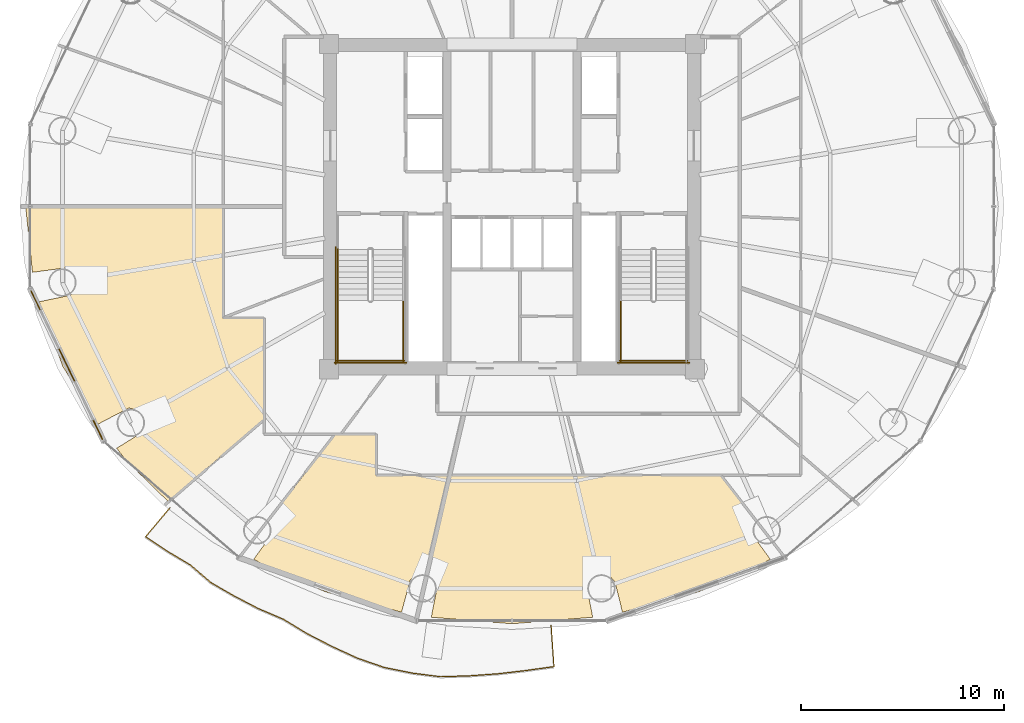
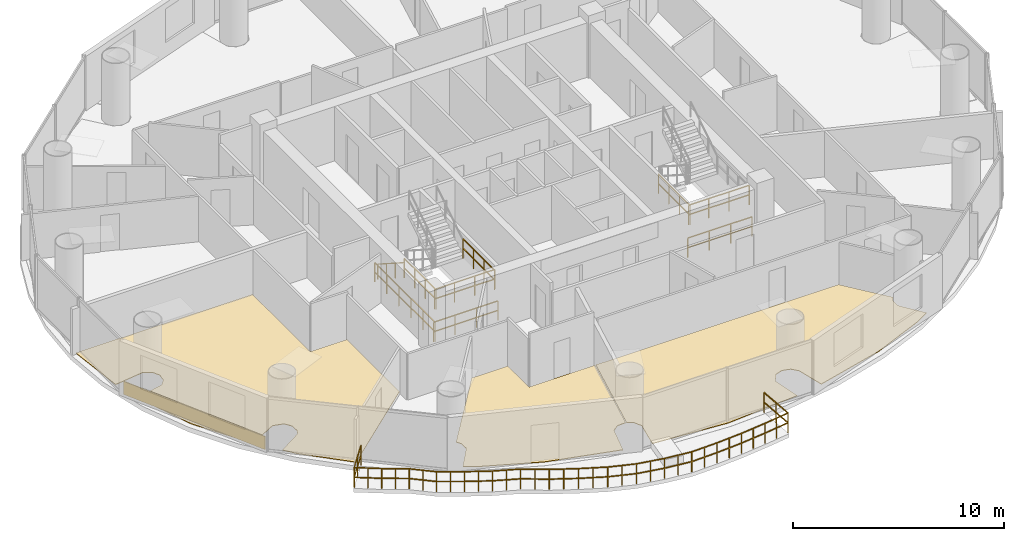
# One storey, part 24 of 26: 10 railings, 4 coverings.
"""IFC4 building model written with IfcOpenShell, lengths in metres."""

from ifc_helpers import new_model, si_unit, direction, frame, origin, origin_2d, place, context, subcontext, project, spatial, polyline, rectangle, outline, extrude, source, transform, mapped, material, layer, layer_set, type_object, element, save


model = new_model("IFC4")

# Units and contexts
model_context = context("Model", 3, precision=1e-05, world=origin(), true_north=direction((-0.2419218956, 0.970295726276)))
body_context = subcontext(model_context, "Body", "Model", "MODEL_VIEW")
ifc_project = project(units=[si_unit("LENGTHUNIT", "METRE"), si_unit("AREAUNIT", "SQUARE_METRE"), si_unit("VOLUMEUNIT", "CUBIC_METRE"), si_unit("PLANEANGLEUNIT", "RADIAN"), si_unit("MASSUNIT", "GRAM", prefix="KILO")], contexts=[model_context])

# Site, building, storey
site_placement = place(None, origin())
site = spatial("IfcSite", under=ifc_project, at=site_placement, CompositionType="ELEMENT")
building_placement = place(site_placement, origin())
building = spatial("IfcBuilding", under=site, at=building_placement, Name="Cobrevalo Terracotta Tower", CompositionType="ELEMENT")
storey_placement = place(building_placement, frame((0.0, 0.0, 182.199951171875)))
storey = spatial("IfcBuildingStorey", under=building, at=storey_placement, Name="L48", CompositionType="ELEMENT", Elevation=182.199951171875)

# Railing
ifc_material_1 = material(Name="Laminated structural glass and stainless steel", Category="steel")
railing_type_1 = type_object("IfcRailingType", Name="Balcony lobe structural glass & terracotta-cap balustrade 1180 mm", PredefinedType="BALUSTRADE", material=ifc_material_1)
railing_1_placement = place(storey_placement, frame((21.174560546875, 11.98681640625, 0.0)))
element("IfcRailing", 1, at=railing_1_placement, inside=storey, type_object=railing_type_1, Name="L48 spiralling balcony lobe balustrade 2", PredefinedType="BALUSTRADE", context=body_context, shape_type="SweptSolid", body=[
    extrude(rectangle(XDim=0.048095703125, YDim=0.048095703125, at=origin_2d()), frame((0.0, 0.0, 1.15576171875), z_axis=(-0.643035654608, -0.765836240265, 0.0), x_axis=(0.765836240265, -0.643035654608, 0.0)), (0.0, 0.0, 1.0), 1.866943359375),
    extrude(rectangle(XDim=0.048095703125, YDim=0.048095703125, at=origin_2d()), frame((0.0, 0.0, 0.58984375), z_axis=(-0.643035654608, -0.765836240265, 0.0), x_axis=(0.765836240265, -0.643035654608, 0.0)), (0.0, 0.0, 1.0), 1.866943359375),
    extrude(rectangle(XDim=0.048095703125, YDim=0.048095703125, at=origin_2d()), frame((-1.200439453125, -1.4296875, 1.15576171875), z_axis=(0.833510454138, -0.552503685819, 0.0), x_axis=(0.552503685819, 0.833510454138, 0.0)), (0.0, 0.0, 1.0), 1.309326171875),
    extrude(rectangle(XDim=0.048095703125, YDim=0.048095703125, at=origin_2d()), frame((-1.200439453125, -1.4296875, 0.58984375), z_axis=(0.833510454138, -0.552503685819, 0.0), x_axis=(0.552503685819, 0.833510454138, 0.0)), (0.0, 0.0, 1.0), 1.309326171875),
    extrude(rectangle(XDim=0.048095703125, YDim=0.048095703125, at=origin_2d()), frame((-0.109130859375, -2.153076171875, 1.15576171875), z_axis=(0.859061182482, -0.511872918558, 0.0), x_axis=(0.511872918558, 0.859061182482, 0.0)), (0.0, 0.0, 1.0), 1.301513671875),
    extrude(rectangle(XDim=0.048095703125, YDim=0.048095703125, at=origin_2d()), frame((-0.109130859375, -2.153076171875, 0.58984375), z_axis=(0.859061182482, -0.511872918558, 0.0), x_axis=(0.511872918558, 0.859061182482, 0.0)), (0.0, 0.0, 1.0), 1.301513671875),
    extrude(rectangle(XDim=0.048095703125, YDim=0.048095703125, at=origin_2d()), frame((1.009033203125, -2.8193359375, 1.15576171875), z_axis=(0.757864848961, -0.652411580759, 0.0), x_axis=(0.652411580759, 0.757864848961, 0.0)), (0.0, 0.0, 1.0), 1.32666015625),
    extrude(rectangle(XDim=0.048095703125, YDim=0.048095703125, at=origin_2d()), frame((1.009033203125, -2.8193359375, 0.58984375), z_axis=(0.757864848961, -0.652411580759, 0.0), x_axis=(0.652411580759, 0.757864848961, 0.0)), (0.0, 0.0, 1.0), 1.32666015625),
    extrude(rectangle(XDim=0.048095703125, YDim=0.048095703125, at=origin_2d()), frame((2.014404296875, -3.684814453125, 1.15576171875), z_axis=(0.867459366017, -0.497508038436, 0.0), x_axis=(0.497508038436, 0.867459366017, 0.0)), (0.0, 0.0, 1.0), 1.324462890625),
    extrude(rectangle(XDim=0.048095703125, YDim=0.048095703125, at=origin_2d()), frame((2.014404296875, -3.684814453125, 0.58984375), z_axis=(0.867459366017, -0.497508038436, 0.0), x_axis=(0.497508038436, 0.867459366017, 0.0)), (0.0, 0.0, 1.0), 1.324462890625),
    extrude(rectangle(XDim=0.048095703125, YDim=0.048095703125, at=origin_2d()), frame((3.163330078125, -4.34375, 1.15576171875), z_axis=(0.886378139392, -0.46296197901, 0.0), x_axis=(0.46296197901, 0.886378139392, 0.0)), (0.0, 0.0, 1.0), 1.327392578125),
    extrude(rectangle(XDim=0.048095703125, YDim=0.048095703125, at=origin_2d()), frame((3.163330078125, -4.34375, 0.58984375), z_axis=(0.886378139392, -0.46296197901, 0.0), x_axis=(0.46296197901, 0.886378139392, 0.0)), (0.0, 0.0, 1.0), 1.327392578125),
    extrude(rectangle(XDim=0.048095703125, YDim=0.048095703125, at=origin_2d()), frame((4.33984375, -4.958251953125, 1.15576171875), z_axis=(0.920373490058, -0.391040456729, 0.0), x_axis=(0.391040456729, 0.920373490058, 0.0)), (0.0, 0.0, 1.0), 1.341796875),
    extrude(rectangle(XDim=0.048095703125, YDim=0.048095703125, at=origin_2d()), frame((4.33984375, -4.958251953125, 0.58984375), z_axis=(0.920373490058, -0.391040456729, 0.0), x_axis=(0.391040456729, 0.920373490058, 0.0)), (0.0, 0.0, 1.0), 1.341796875),
    extrude(rectangle(XDim=0.048095703125, YDim=0.048095703125, at=origin_2d()), frame((5.57470703125, -5.48291015625, 1.15576171875), z_axis=(0.854798848027, -0.518959467986, 0.0), x_axis=(0.518959467986, 0.854798848027, 0.0)), (0.0, 0.0, 1.0), 1.365234375),
    extrude(rectangle(XDim=0.048095703125, YDim=0.048095703125, at=origin_2d()), frame((5.57470703125, -5.48291015625, 0.58984375), z_axis=(0.854798848027, -0.518959467986, 0.0), x_axis=(0.518959467986, 0.854798848027, 0.0)), (0.0, 0.0, 1.0), 1.365234375),
    extrude(rectangle(XDim=0.048095703125, YDim=0.048095703125, at=origin_2d()), frame((6.74169921875, -6.19140625, 1.15576171875), z_axis=(0.888959309083, -0.457986186249, 0.0), x_axis=(0.457986186249, 0.888959309083, 0.0)), (0.0, 0.0, 1.0), 1.3828125),
    extrude(rectangle(XDim=0.048095703125, YDim=0.048095703125, at=origin_2d()), frame((6.74169921875, -6.19140625, 0.58984375), z_axis=(0.888959309083, -0.457986186249, 0.0), x_axis=(0.457986186249, 0.888959309083, 0.0)), (0.0, 0.0, 1.0), 1.3828125),
    extrude(rectangle(XDim=0.048095703125, YDim=0.048095703125, at=origin_2d()), frame((7.970947265625, -6.82470703125, 1.15576171875), z_axis=(0.908664294435, -0.417527484147, 0.0), x_axis=(0.417527484147, 0.908664294435, 0.0)), (0.0, 0.0, 1.0), 1.396240234375),
    extrude(rectangle(XDim=0.048095703125, YDim=0.048095703125, at=origin_2d()), frame((7.970947265625, -6.82470703125, 0.58984375), z_axis=(0.908664294435, -0.417527484147, 0.0), x_axis=(0.417527484147, 0.908664294435, 0.0)), (0.0, 0.0, 1.0), 1.396240234375),
    extrude(rectangle(XDim=0.048095703125, YDim=0.048095703125, at=origin_2d()), frame((9.23974609375, -7.40771484375, 1.15576171875), z_axis=(0.945543759885, -0.325495004789, 0.0), x_axis=(0.325495004789, 0.945543759885, 0.0)), (0.0, 0.0, 1.0), 1.396728515625),
    extrude(rectangle(XDim=0.048095703125, YDim=0.048095703125, at=origin_2d()), frame((9.23974609375, -7.40771484375, 0.58984375), z_axis=(0.945543759885, -0.325495004789, 0.0), x_axis=(0.325495004789, 0.945543759885, 0.0)), (0.0, 0.0, 1.0), 1.396728515625),
    extrude(rectangle(XDim=0.048095703125, YDim=0.048095703125, at=origin_2d()), frame((10.560302734375, -7.8623046875, 1.15576171875), z_axis=(0.980432993387, -0.196853106348, 0.0), x_axis=(0.196853106348, 0.980432993387, 0.0)), (0.0, 0.0, 1.0), 1.4013671875),
    extrude(rectangle(XDim=0.048095703125, YDim=0.048095703125, at=origin_2d()), frame((10.560302734375, -7.8623046875, 0.58984375), z_axis=(0.980432993387, -0.196853106348, 0.0), x_axis=(0.196853106348, 0.980432993387, 0.0)), (0.0, 0.0, 1.0), 1.4013671875),
    extrude(rectangle(XDim=0.048095703125, YDim=0.048095703125, at=origin_2d()), frame((11.934326171875, -8.13818359375, 1.15576171875), z_axis=(0.992105188222, -0.125408514475, 0.0), x_axis=(0.125408514475, 0.992105188222, 0.0)), (0.0, 0.0, 1.0), 1.399658203125),
    extrude(rectangle(XDim=0.048095703125, YDim=0.048095703125, at=origin_2d()), frame((11.934326171875, -8.13818359375, 0.58984375), z_axis=(0.992105188222, -0.125408514475, 0.0), x_axis=(0.125408514475, 0.992105188222, 0.0)), (0.0, 0.0, 1.0), 1.399658203125),
    extrude(rectangle(XDim=0.048095703125, YDim=0.048095703125, at=origin_2d()), frame((13.322998046875, -8.313720703125, 1.15576171875), z_axis=(0.99947633011, 0.032358392266, 0.0), x_axis=(-0.032358392266, 0.99947633011, 0.0)), (0.0, 0.0, 1.0), 1.410888671875),
    extrude(rectangle(XDim=0.048095703125, YDim=0.048095703125, at=origin_2d()), frame((13.322998046875, -8.313720703125, 0.58984375), z_axis=(0.99947633011, 0.032358392266, 0.0), x_axis=(-0.032358392266, 0.99947633011, 0.0)), (0.0, 0.0, 1.0), 1.410888671875),
    extrude(rectangle(XDim=0.048095703125, YDim=0.048095703125, at=origin_2d()), frame((14.733154296875, -8.26806640625, 1.15576171875), z_axis=(0.997489518027, 0.070814274174, 0.0), x_axis=(-0.070814274174, 0.997489518027, 0.0)), (0.0, 0.0, 1.0), 1.403076171875),
    extrude(rectangle(XDim=0.048095703125, YDim=0.048095703125, at=origin_2d()), frame((14.733154296875, -8.26806640625, 0.58984375), z_axis=(0.997489518027, 0.070814274174, 0.0), x_axis=(-0.070814274174, 0.997489518027, 0.0)), (0.0, 0.0, 1.0), 1.403076171875),
    extrude(rectangle(XDim=0.048095703125, YDim=0.048095703125, at=origin_2d()), frame((16.1328125, -8.168701171875, 1.15576171875), z_axis=(0.993268516763, 0.115834595903, 0.0), x_axis=(-0.115834595903, 0.993268516763, 0.0)), (0.0, 0.0, 1.0), 1.39306640625),
    extrude(rectangle(XDim=0.048095703125, YDim=0.048095703125, at=origin_2d()), frame((16.1328125, -8.168701171875, 0.58984375), z_axis=(0.993268516763, 0.115834595903, 0.0), x_axis=(-0.115834595903, 0.993268516763, 0.0)), (0.0, 0.0, 1.0), 1.39306640625),
    extrude(rectangle(XDim=0.048095703125, YDim=0.048095703125, at=origin_2d()), frame((17.5166015625, -8.00732421875, 1.15576171875), z_axis=(0.990239867163, 0.139373618314, 0.0), x_axis=(-0.139373618314, 0.990239867163, 0.0)), (0.0, 0.0, 1.0), 1.385498046875),
    extrude(rectangle(XDim=0.048095703125, YDim=0.048095703125, at=origin_2d()), frame((17.5166015625, -8.00732421875, 0.58984375), z_axis=(0.990239867163, 0.139373618314, 0.0), x_axis=(-0.139373618314, 0.990239867163, 0.0)), (0.0, 0.0, 1.0), 1.385498046875),
    extrude(rectangle(XDim=0.048095703125, YDim=0.048095703125, at=origin_2d()), frame((18.888671875, -7.814208984375, 1.15576171875), z_axis=(-0.068888738488, 0.997624348996, 0.0), x_axis=(-0.997624348996, -0.068888738488, 0.0)), (0.0, 0.0, 1.0), 2.03076171875),
    extrude(rectangle(XDim=0.048095703125, YDim=0.048095703125, at=origin_2d()), frame((18.888671875, -7.814208984375, 0.58984375), z_axis=(-0.068888738488, 0.997624348996, 0.0), x_axis=(-0.997624348996, -0.068888738488, 0.0)), (0.0, 0.0, 1.0), 2.03076171875),
    extrude(rectangle(XDim=0.0419921875, YDim=0.0419921875, at=origin_2d()), origin(), (0.0, 0.0, 1.0), 1.1318359375),
    extrude(rectangle(XDim=0.0419921875, YDim=0.0419921875, at=origin_2d()), frame((-0.60009765625, -0.71484375, 0.0)), (0.0, 0.0, 1.0), 1.1318359375),
    extrude(rectangle(XDim=0.0419921875, YDim=0.0419921875, at=origin_2d()), frame((-1.200439453125, -1.4296875, 0.0)), (0.0, 0.0, 1.0), 1.1318359375),
    extrude(rectangle(XDim=0.0419921875, YDim=0.0419921875, at=origin_2d()), frame((-0.65478515625, -1.79150390625, 0.0)), (0.0, 0.0, 1.0), 1.1318359375),
    extrude(rectangle(XDim=0.0419921875, YDim=0.0419921875, at=origin_2d()), frame((-0.109130859375, -2.153076171875, 0.0)), (0.0, 0.0, 1.0), 1.1318359375),
    extrude(rectangle(XDim=0.0419921875, YDim=0.0419921875, at=origin_2d()), frame((0.449951171875, -2.486328125, 0.0)), (0.0, 0.0, 1.0), 1.1318359375),
    extrude(rectangle(XDim=0.0419921875, YDim=0.0419921875, at=origin_2d()), frame((1.009033203125, -2.8193359375, 0.0)), (0.0, 0.0, 1.0), 1.1318359375),
    extrude(rectangle(XDim=0.0419921875, YDim=0.0419921875, at=origin_2d()), frame((1.51171875, -3.251953125, 0.0)), (0.0, 0.0, 1.0), 1.1318359375),
    extrude(rectangle(XDim=0.0419921875, YDim=0.0419921875, at=origin_2d()), frame((2.014404296875, -3.684814453125, 0.0)), (0.0, 0.0, 1.0), 1.1318359375),
    extrude(rectangle(XDim=0.0419921875, YDim=0.0419921875, at=origin_2d()), frame((2.5888671875, -4.01416015625, 0.0)), (0.0, 0.0, 1.0), 1.1318359375),
    extrude(rectangle(XDim=0.0419921875, YDim=0.0419921875, at=origin_2d()), frame((3.163330078125, -4.34375, 0.0)), (0.0, 0.0, 1.0), 1.1318359375),
    extrude(rectangle(XDim=0.0419921875, YDim=0.0419921875, at=origin_2d()), frame((3.75146484375, -4.65087890625, 0.0)), (0.0, 0.0, 1.0), 1.1318359375),
    extrude(rectangle(XDim=0.0419921875, YDim=0.0419921875, at=origin_2d()), frame((4.33984375, -4.958251953125, 0.0)), (0.0, 0.0, 1.0), 1.1318359375),
    extrude(rectangle(XDim=0.0419921875, YDim=0.0419921875, at=origin_2d()), frame((4.957275390625, -5.220703125, 0.0)), (0.0, 0.0, 1.0), 1.1318359375),
    extrude(rectangle(XDim=0.0419921875, YDim=0.0419921875, at=origin_2d()), frame((5.57470703125, -5.48291015625, 0.0)), (0.0, 0.0, 1.0), 1.1318359375),
    extrude(rectangle(XDim=0.0419921875, YDim=0.0419921875, at=origin_2d()), frame((6.158203125, -5.837158203125, 0.0)), (0.0, 0.0, 1.0), 1.1318359375),
    extrude(rectangle(XDim=0.0419921875, YDim=0.0419921875, at=origin_2d()), frame((6.74169921875, -6.19140625, 0.0)), (0.0, 0.0, 1.0), 1.1318359375),
    extrude(rectangle(XDim=0.0419921875, YDim=0.0419921875, at=origin_2d()), frame((7.3564453125, -6.508056640625, 0.0)), (0.0, 0.0, 1.0), 1.1318359375),
    extrude(rectangle(XDim=0.0419921875, YDim=0.0419921875, at=origin_2d()), frame((7.970947265625, -6.82470703125, 0.0)), (0.0, 0.0, 1.0), 1.1318359375),
    extrude(rectangle(XDim=0.0419921875, YDim=0.0419921875, at=origin_2d()), frame((8.60546875, -7.1162109375, 0.0)), (0.0, 0.0, 1.0), 1.1318359375),
    extrude(rectangle(XDim=0.0419921875, YDim=0.0419921875, at=origin_2d()), frame((9.23974609375, -7.40771484375, 0.0)), (0.0, 0.0, 1.0), 1.1318359375),
    extrude(rectangle(XDim=0.0419921875, YDim=0.0419921875, at=origin_2d()), frame((9.89990234375, -7.635009765625, 0.0)), (0.0, 0.0, 1.0), 1.1318359375),
    extrude(rectangle(XDim=0.0419921875, YDim=0.0419921875, at=origin_2d()), frame((10.560302734375, -7.8623046875, 0.0)), (0.0, 0.0, 1.0), 1.1318359375),
    extrude(rectangle(XDim=0.0419921875, YDim=0.0419921875, at=origin_2d()), frame((11.247314453125, -8.000244140625, 0.0)), (0.0, 0.0, 1.0), 1.1318359375),
    extrude(rectangle(XDim=0.0419921875, YDim=0.0419921875, at=origin_2d()), frame((11.934326171875, -8.13818359375, 0.0)), (0.0, 0.0, 1.0), 1.1318359375),
    extrude(rectangle(XDim=0.0419921875, YDim=0.0419921875, at=origin_2d()), frame((12.628662109375, -8.22607421875, 0.0)), (0.0, 0.0, 1.0), 1.1318359375),
    extrude(rectangle(XDim=0.0419921875, YDim=0.0419921875, at=origin_2d()), frame((13.322998046875, -8.313720703125, 0.0)), (0.0, 0.0, 1.0), 1.1318359375),
    extrude(rectangle(XDim=0.0419921875, YDim=0.0419921875, at=origin_2d()), frame((14.028076171875, -8.291015625, 0.0)), (0.0, 0.0, 1.0), 1.1318359375),
    extrude(rectangle(XDim=0.0419921875, YDim=0.0419921875, at=origin_2d()), frame((14.733154296875, -8.26806640625, 0.0)), (0.0, 0.0, 1.0), 1.1318359375),
    extrude(rectangle(XDim=0.0419921875, YDim=0.0419921875, at=origin_2d()), frame((15.43310546875, -8.21826171875, 0.0)), (0.0, 0.0, 1.0), 1.1318359375),
    extrude(rectangle(XDim=0.0419921875, YDim=0.0419921875, at=origin_2d()), frame((16.1328125, -8.168701171875, 0.0)), (0.0, 0.0, 1.0), 1.1318359375),
    extrude(rectangle(XDim=0.0419921875, YDim=0.0419921875, at=origin_2d()), frame((16.82470703125, -8.087890625, 0.0)), (0.0, 0.0, 1.0), 1.1318359375),
    extrude(rectangle(XDim=0.0419921875, YDim=0.0419921875, at=origin_2d()), frame((17.5166015625, -8.00732421875, 0.0)), (0.0, 0.0, 1.0), 1.1318359375),
    extrude(rectangle(XDim=0.0419921875, YDim=0.0419921875, at=origin_2d()), frame((18.20263671875, -7.91064453125, 0.0)), (0.0, 0.0, 1.0), 1.1318359375),
    extrude(rectangle(XDim=0.0419921875, YDim=0.0419921875, at=origin_2d()), frame((18.888671875, -7.814208984375, 0.0)), (0.0, 0.0, 1.0), 1.1318359375),
    extrude(rectangle(XDim=0.0419921875, YDim=0.0419921875, at=origin_2d()), frame((18.81884765625, -6.80126953125, 0.0)), (0.0, 0.0, 1.0), 1.1318359375),
    extrude(rectangle(XDim=0.0419921875, YDim=0.0419921875, at=origin_2d()), frame((18.748779296875, -5.788330078125, 0.0)), (0.0, 0.0, 1.0), 1.1318359375),
])

# Coverings
ifc_material_2 = material(Name="Engineered Brazilian hardwood flooring", Category="wood")
ifc_layer_1 = layer(ifc_material_2, 0.028076171875)
ifc_layer_set_1 = layer_set([ifc_layer_1], Name="Engineered Brazilian hardwood flooring")
covering_type_1 = type_object("IfcCoveringType", Name="Engineered Hardwood Suite Flooring 28", PredefinedType="FLOORING", material=ifc_layer_set_1)
covering_1_placement = place(storey_placement, origin())
element("IfcCovering", 2, at=covering_1_placement, inside=storey, type_object=covering_type_1, Name="Flat L48C Penthouse Living and Dining Room floor finish", PredefinedType="FLOORING", context=body_context, shape_type="SweptSolid", body=[
    extrude(outline(polyline([(19.02197265625, 14.309326171875), (18.551513671875, 14.91357421875), (19.834228515625, 15.705810546875), (19.9638671875, 15.9638671875), (19.952880859375, 16.3935546875), (19.705322265625, 16.74462890625), (19.1591796875, 16.895263671875), (17.632568359375, 16.09375), (15.900390625, 18.948486328125), (14.748291015625, 22.121826171875), (16.2763671875, 22.43701171875), (16.55859375, 22.760986328125), (16.613037109375, 23.187255859375), (16.421630859375, 23.572021484375), (16.048583984375, 23.785400390625), (14.41357421875, 23.566162109375), (14.08154296875, 26.780029296875), (23.77490234375, 26.780029296875), (23.77490234375, 21.300048828125), (25.784912109375, 21.300048828125), (25.784912109375, 16.32763671875), (21.0888671875, 12.291015625), (19.02197265625, 14.309326171875)])), origin(), (0.0, 0.0, 1.0), 0.030029296875),
])
covering_2_placement = place(storey_placement, origin())
element("IfcCovering", 3, at=covering_2_placement, inside=storey, type_object=covering_type_1, Name="Flat L48C Penthouse Family Lounge floor finish", PredefinedType="FLOORING", context=body_context, shape_type="SweptSolid", body=[
    extrude(outline(polyline([(25.295166015625, 9.4560546875), (26.184326171875, 10.67724609375), (26.175537109375, 11.106689453125), (26.02490234375, 11.363525390625), (29.306884765625, 15.5849609375), (31.300048828125, 15.5849609375), (31.300048828125, 13.574951171875), (34.9189453125, 13.574951171875), (33.796630859375, 8.72607421875), (33.3408203125, 8.7109375), (32.99951171875, 8.44970703125), (32.567138671875, 6.849853515625), (28.84521484375, 7.84228515625), (26.038818359375, 9.02978515625), (25.295166015625, 9.4560546875)])), origin(), (0.0, 0.0, 1.0), 0.030029296875),
])
covering_3_placement = place(storey_placement, origin())
element("IfcCovering", 4, at=covering_3_placement, inside=storey, type_object=covering_type_1, Name="Flat L48D Penthouse Living and Dining Room floor finish", PredefinedType="FLOORING", context=body_context, shape_type="SweptSolid", body=[
    extrude(outline(polyline([(47.15478515625, 7.84228515625), (43.432861328125, 6.849853515625), (43.072998046875, 8.323974609375), (42.78955078125, 8.646728515625), (42.374267578125, 8.757568359375), (41.967529296875, 8.619140625), (41.6689453125, 8.1376953125), (41.97119140625, 6.6005859375), (38.0, 6.280029296875), (34.02880859375, 6.6005859375), (34.3310546875, 8.1376953125), (34.141357421875, 8.5234375), (33.83544921875, 8.716064453125), (34.9599609375, 13.574951171875), (48.255859375, 13.574951171875), (49.97509765625, 11.363525390625), (49.824462890625, 11.106689453125), (49.815673828125, 10.67724609375), (50.704833984375, 9.4560546875), (49.961181640625, 9.02978515625), (47.15478515625, 7.84228515625)])), origin(), (0.0, 0.0, 1.0), 0.030029296875),
])

# Railings
ifc_material_3 = material(Name="Brushed stainless steel", Category="steel")
railing_type_2 = type_object("IfcRailingType", Name="Stainless Steel Stair Handrail 900", PredefinedType="HANDRAIL", material=ifc_material_3)
railing_2_placement = place(storey_placement, frame((29.425048828125, 24.699951171875, 0.179931640625)))
element("IfcRailing", 5, at=railing_2_placement, inside=storey, type_object=railing_type_2, Name="L48 ST-1 stair handrail 1", PredefinedType="HANDRAIL", context=body_context, shape_type="SweptSolid", body=[
    extrude(rectangle(XDim=0.048095703125, YDim=0.048095703125, at=origin_2d()), frame((0.0, 0.0, 0.8759765625), z_axis=(0.0, -0.841162588446, 0.540782303519), x_axis=(1.0, 0.0, 0.0)), (0.0, 0.0, 1.0), 2.995849609375),
    extrude(rectangle(XDim=0.0419921875, YDim=0.0419921875, at=origin_2d()), origin(), (0.0, 0.0, 1.0), 0.851806640625),
    extrude(rectangle(XDim=0.0419921875, YDim=0.0419921875, at=origin_2d()), frame((0.0, -0.840087890625, 0.5400390625)), (0.0, 0.0, 1.0), 0.851806640625),
    extrude(rectangle(XDim=0.0419921875, YDim=0.0419921875, at=origin_2d()), frame((0.0, -1.679931640625, 1.080078125)), (0.0, 0.0, 1.0), 0.851806640625),
    extrude(rectangle(XDim=0.0419921875, YDim=0.0419921875, at=origin_2d()), frame((0.0, -2.52001953125, 1.6201171875)), (0.0, 0.0, 1.0), 0.851806640625),
])
ifc_material_4 = material(Name="Painted galvanized steel", Category="steel")
railing_type_3 = type_object("IfcRailingType", Name="Stair Well Guard Balustrade 1150", PredefinedType="GUARDRAIL", material=ifc_material_4)
for number, where, name in (
    (6, (29.425048828125, 22.179931640625, 1.800048828125), "L48 ST-1 stair guard 3"),
    (7, (32.64501953125, 22.179931640625, 1.800048828125), "L48 ST-1 stair guard 4"),
):
    element("IfcRailing", number, at=place(storey_placement, frame(where)), inside=storey, type_object=railing_type_3, Name=name, PredefinedType="GUARDRAIL", context=body_context, shape_type="SweptSolid", body=[
        extrude(rectangle(XDim=0.048095703125, YDim=0.048095703125, at=origin_2d()), frame((0.0, 0.0, 1.1259765625), z_axis=(0.0, -1.0, 0.0), x_axis=(1.0, 0.0, 0.0)), (0.0, 0.0, 1.0), 3.0048828125),
        extrude(rectangle(XDim=0.048095703125, YDim=0.048095703125, at=origin_2d()), frame((0.0, 0.0, 0.574951171875), z_axis=(0.0, -1.0, 0.0), x_axis=(1.0, 0.0, 0.0)), (0.0, 0.0, 1.0), 3.0048828125),
        extrude(rectangle(XDim=0.0419921875, YDim=0.0419921875, at=origin_2d()), origin(), (0.0, 0.0, 1.0), 1.101806640625),
        extrude(rectangle(XDim=0.0419921875, YDim=0.0419921875, at=origin_2d()), frame((0.0, -1.001708984375, 0.0)), (0.0, 0.0, 1.0), 1.101806640625),
        extrude(rectangle(XDim=0.0419921875, YDim=0.0419921875, at=origin_2d()), frame((0.0, -2.003173828125, 0.0)), (0.0, 0.0, 1.0), 1.101806640625),
        extrude(rectangle(XDim=0.0419921875, YDim=0.0419921875, at=origin_2d()), frame((0.0, -3.0048828125, 0.0)), (0.0, 0.0, 1.0), 1.101806640625),
    ])
railing_3_placement = place(storey_placement, frame((29.375, 19.22509765625, 1.800048828125)))
element("IfcRailing", 8, at=railing_3_placement, inside=storey, type_object=railing_type_3, Name="L48 ST-1 stair guard 5", PredefinedType="GUARDRAIL", context=body_context, shape_type="SweptSolid", body=[
    extrude(rectangle(XDim=0.048095703125, YDim=0.048095703125, at=origin_2d()), frame((0.0, 0.0, 1.1259765625), z_axis=(1.0, 0.0, 0.0), x_axis=(0.0, 1.0, 0.0)), (0.0, 0.0, 1.0), 3.320068359375),
    extrude(rectangle(XDim=0.048095703125, YDim=0.048095703125, at=origin_2d()), frame((0.0, 0.0, 0.574951171875), z_axis=(1.0, 0.0, 0.0), x_axis=(0.0, 1.0, 0.0)), (0.0, 0.0, 1.0), 3.320068359375),
    extrude(rectangle(XDim=0.0419921875, YDim=0.0419921875, at=origin_2d()), origin(), (0.0, 0.0, 1.0), 1.101806640625),
    extrude(rectangle(XDim=0.0419921875, YDim=0.0419921875, at=origin_2d()), frame((1.106689453125, 0.0, 0.0)), (0.0, 0.0, 1.0), 1.101806640625),
    extrude(rectangle(XDim=0.0419921875, YDim=0.0419921875, at=origin_2d()), frame((2.21337890625, 0.0, 0.0)), (0.0, 0.0, 1.0), 1.101806640625),
    extrude(rectangle(XDim=0.0419921875, YDim=0.0419921875, at=origin_2d()), frame((3.320068359375, 0.0, 0.0)), (0.0, 0.0, 1.0), 1.101806640625),
])
railing_4_placement = place(storey_placement, frame((29.324951171875, 24.800048828125, 0.0)))
element("IfcRailing", 9, at=railing_4_placement, inside=storey, type_object=railing_type_3, Name="L48 ST-1 stair guard 10", PredefinedType="GUARDRAIL", context=body_context, shape_type="SweptSolid", body=[
    extrude(rectangle(XDim=0.048095703125, YDim=0.048095703125, at=origin_2d()), frame((0.0, 0.0, 1.1259765625), z_axis=(0.0, -1.0, 0.0), x_axis=(1.0, 0.0, 0.0)), (0.0, 0.0, 1.0), 5.72509765625),
    extrude(rectangle(XDim=0.048095703125, YDim=0.048095703125, at=origin_2d()), frame((0.0, 0.0, 0.574951171875), z_axis=(0.0, -1.0, 0.0), x_axis=(1.0, 0.0, 0.0)), (0.0, 0.0, 1.0), 5.72509765625),
    extrude(rectangle(XDim=0.0419921875, YDim=0.0419921875, at=origin_2d()), origin(), (0.0, 0.0, 1.0), 1.101806640625),
    extrude(rectangle(XDim=0.0419921875, YDim=0.0419921875, at=origin_2d()), frame((0.0, -1.14501953125, 0.0)), (0.0, 0.0, 1.0), 1.101806640625),
    extrude(rectangle(XDim=0.0419921875, YDim=0.0419921875, at=origin_2d()), frame((0.0, -2.2900390625, 0.0)), (0.0, 0.0, 1.0), 1.101806640625),
    extrude(rectangle(XDim=0.0419921875, YDim=0.0419921875, at=origin_2d()), frame((0.0, -3.43505859375, 0.0)), (0.0, 0.0, 1.0), 1.101806640625),
    extrude(rectangle(XDim=0.0419921875, YDim=0.0419921875, at=origin_2d()), frame((0.0, -4.580078125, 0.0)), (0.0, 0.0, 1.0), 1.101806640625),
    extrude(rectangle(XDim=0.0419921875, YDim=0.0419921875, at=origin_2d()), frame((0.0, -5.72509765625, 0.0)), (0.0, 0.0, 1.0), 1.101806640625),
])
railing_5_placement = place(storey_placement, frame((29.27490234375, 19.125, 0.0)))
element("IfcRailing", 10, at=railing_5_placement, inside=storey, type_object=railing_type_3, Name="L48 ST-1 stair guard 12", PredefinedType="GUARDRAIL", context=body_context, shape_type="SweptSolid", body=[
    extrude(rectangle(XDim=0.048095703125, YDim=0.048095703125, at=origin_2d()), frame((0.0, 0.0, 1.1259765625), z_axis=(1.0, 0.0, 0.0), x_axis=(0.0, 1.0, 0.0)), (0.0, 0.0, 1.0), 3.52001953125),
    extrude(rectangle(XDim=0.048095703125, YDim=0.048095703125, at=origin_2d()), frame((0.0, 0.0, 0.574951171875), z_axis=(1.0, 0.0, 0.0), x_axis=(0.0, 1.0, 0.0)), (0.0, 0.0, 1.0), 3.52001953125),
    extrude(rectangle(XDim=0.0419921875, YDim=0.0419921875, at=origin_2d()), origin(), (0.0, 0.0, 1.0), 1.101806640625),
    extrude(rectangle(XDim=0.0419921875, YDim=0.0419921875, at=origin_2d()), frame((1.17333984375, 0.0, 0.0)), (0.0, 0.0, 1.0), 1.101806640625),
    extrude(rectangle(XDim=0.0419921875, YDim=0.0419921875, at=origin_2d()), frame((2.3466796875, 0.0, 0.0)), (0.0, 0.0, 1.0), 1.101806640625),
    extrude(rectangle(XDim=0.0419921875, YDim=0.0419921875, at=origin_2d()), frame((3.52001953125, 0.0, 0.0)), (0.0, 0.0, 1.0), 1.101806640625),
])
railing_6_placement = place(storey_placement, frame((43.35498046875, 22.179931640625, 1.800048828125)))
element("IfcRailing", 11, at=railing_6_placement, inside=storey, type_object=railing_type_3, Name="L48 ST-2 stair guard 3", PredefinedType="GUARDRAIL", context=body_context, shape_type="SweptSolid", body=[
    extrude(rectangle(XDim=0.048095703125, YDim=0.048095703125, at=origin_2d()), frame((0.0, 0.0, 1.1259765625), z_axis=(0.0, -1.0, 0.0), x_axis=(1.0, 0.0, 0.0)), (0.0, 0.0, 1.0), 3.0048828125),
    extrude(rectangle(XDim=0.048095703125, YDim=0.048095703125, at=origin_2d()), frame((0.0, 0.0, 0.574951171875), z_axis=(0.0, -1.0, 0.0), x_axis=(1.0, 0.0, 0.0)), (0.0, 0.0, 1.0), 3.0048828125),
    extrude(rectangle(XDim=0.0419921875, YDim=0.0419921875, at=origin_2d()), origin(), (0.0, 0.0, 1.0), 1.101806640625),
    extrude(rectangle(XDim=0.0419921875, YDim=0.0419921875, at=origin_2d()), frame((0.0, -1.001708984375, 0.0)), (0.0, 0.0, 1.0), 1.101806640625),
    extrude(rectangle(XDim=0.0419921875, YDim=0.0419921875, at=origin_2d()), frame((0.0, -2.003173828125, 0.0)), (0.0, 0.0, 1.0), 1.101806640625),
    extrude(rectangle(XDim=0.0419921875, YDim=0.0419921875, at=origin_2d()), frame((0.0, -3.0048828125, 0.0)), (0.0, 0.0, 1.0), 1.101806640625),
])
railing_7_placement = place(storey_placement, frame((43.304931640625, 19.22509765625, 1.800048828125)))
element("IfcRailing", 12, at=railing_7_placement, inside=storey, type_object=railing_type_3, Name="L48 ST-2 stair guard 5", PredefinedType="GUARDRAIL", context=body_context, shape_type="SweptSolid", body=[
    extrude(rectangle(XDim=0.048095703125, YDim=0.048095703125, at=origin_2d()), frame((0.0, 0.0, 1.1259765625), z_axis=(1.0, 0.0, 0.0), x_axis=(0.0, 1.0, 0.0)), (0.0, 0.0, 1.0), 3.320068359375),
    extrude(rectangle(XDim=0.048095703125, YDim=0.048095703125, at=origin_2d()), frame((0.0, 0.0, 0.574951171875), z_axis=(1.0, 0.0, 0.0), x_axis=(0.0, 1.0, 0.0)), (0.0, 0.0, 1.0), 3.320068359375),
    extrude(rectangle(XDim=0.0419921875, YDim=0.0419921875, at=origin_2d()), origin(), (0.0, 0.0, 1.0), 1.101806640625),
    extrude(rectangle(XDim=0.0419921875, YDim=0.0419921875, at=origin_2d()), frame((1.106689453125, 0.0, 0.0)), (0.0, 0.0, 1.0), 1.101806640625),
    extrude(rectangle(XDim=0.0419921875, YDim=0.0419921875, at=origin_2d()), frame((2.21337890625, 0.0, 0.0)), (0.0, 0.0, 1.0), 1.101806640625),
    extrude(rectangle(XDim=0.0419921875, YDim=0.0419921875, at=origin_2d()), frame((3.320068359375, 0.0, 0.0)), (0.0, 0.0, 1.0), 1.101806640625),
])
railing_8_placement = place(storey_placement, frame((43.205078125, 19.125, 0.0)))
element("IfcRailing", 13, at=railing_8_placement, inside=storey, type_object=railing_type_3, Name="L48 ST-2 stair guard 12", PredefinedType="GUARDRAIL", context=body_context, shape_type="SweptSolid", body=[
    extrude(rectangle(XDim=0.048095703125, YDim=0.048095703125, at=origin_2d()), frame((0.0, 0.0, 1.1259765625), z_axis=(1.0, 0.0, 0.0), x_axis=(0.0, 1.0, 0.0)), (0.0, 0.0, 1.0), 3.52001953125),
    extrude(rectangle(XDim=0.048095703125, YDim=0.048095703125, at=origin_2d()), frame((0.0, 0.0, 0.574951171875), z_axis=(1.0, 0.0, 0.0), x_axis=(0.0, 1.0, 0.0)), (0.0, 0.0, 1.0), 3.52001953125),
    extrude(rectangle(XDim=0.0419921875, YDim=0.0419921875, at=origin_2d()), origin(), (0.0, 0.0, 1.0), 1.101806640625),
    extrude(rectangle(XDim=0.0419921875, YDim=0.0419921875, at=origin_2d()), frame((1.17333984375, 0.0, 0.0)), (0.0, 0.0, 1.0), 1.101806640625),
    extrude(rectangle(XDim=0.0419921875, YDim=0.0419921875, at=origin_2d()), frame((2.3466796875, 0.0, 0.0)), (0.0, 0.0, 1.0), 1.101806640625),
    extrude(rectangle(XDim=0.0419921875, YDim=0.0419921875, at=origin_2d()), frame((3.52001953125, 0.0, 0.0)), (0.0, 0.0, 1.0), 1.101806640625),
])

# Covering
ifc_material_5 = material(Name="Glazed terracotta facade cladding tile", Category="masonry")
ifc_layer_2 = layer(ifc_material_5, 0.044921875)
ifc_layer_set_2 = layer_set([ifc_layer_2], Name="Glazed terracotta facade cladding tile")
covering_type_2 = type_object("IfcCoveringType", Name="Architectural terracotta rainscreen spandrel cladding 45 mm", PredefinedType="CLADDING", material=ifc_layer_set_2)
shared_shape = source(origin(), body_context, "Body", "SweptSolid", [
    extrude(rectangle(XDim=8.111572265625, YDim=0.044921875, at=origin_2d()), origin(), (0.0, 0.0, 1.0), 0.760009765625),
])
covering_4_placement = place(storey_placement, frame((16.098876953125, 19.00439453125, 0.0400390625), z_axis=(0.0, 0.0, 1.0), x_axis=(0.434209440271, -0.900811945957, 0.0)))
element("IfcCovering", 14, at=covering_4_placement, inside=storey, type_object=covering_type_2, Name="L48 terracotta spandrel cladding S09", PredefinedType="CLADDING", context=body_context, shape_type="MappedRepresentation", body=[
    mapped(shared_shape, transform((0.0, 0.0, 0.0), scale=1.0)),
])

save(model, "model.ifc")
